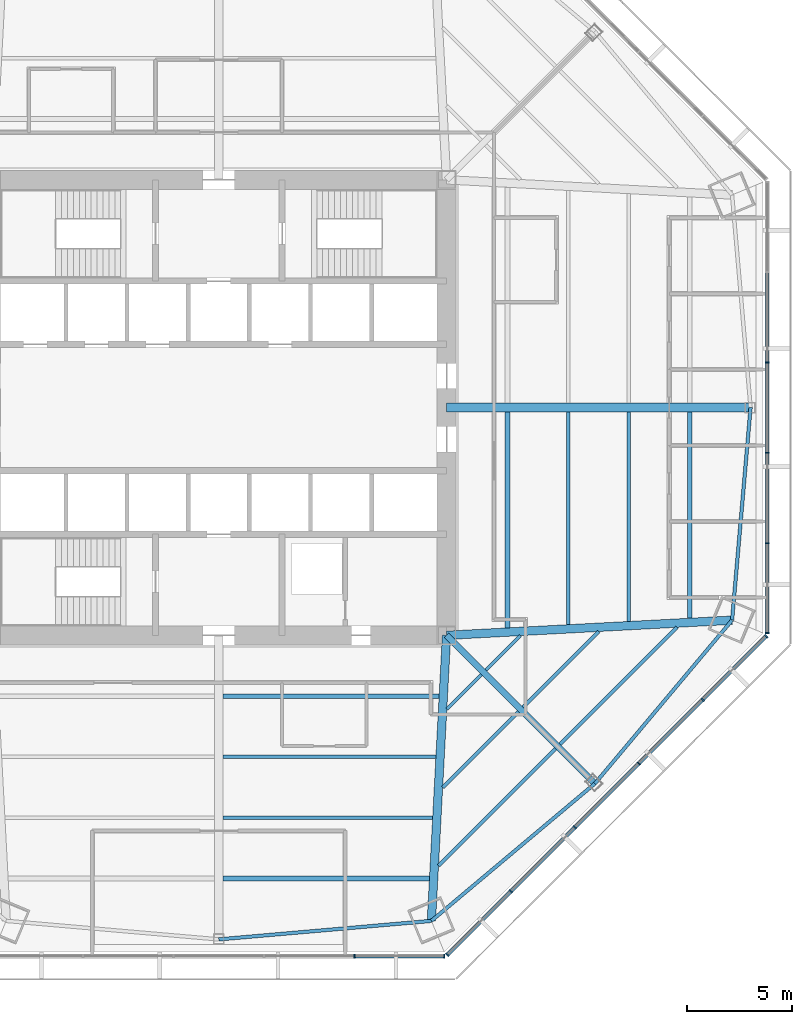
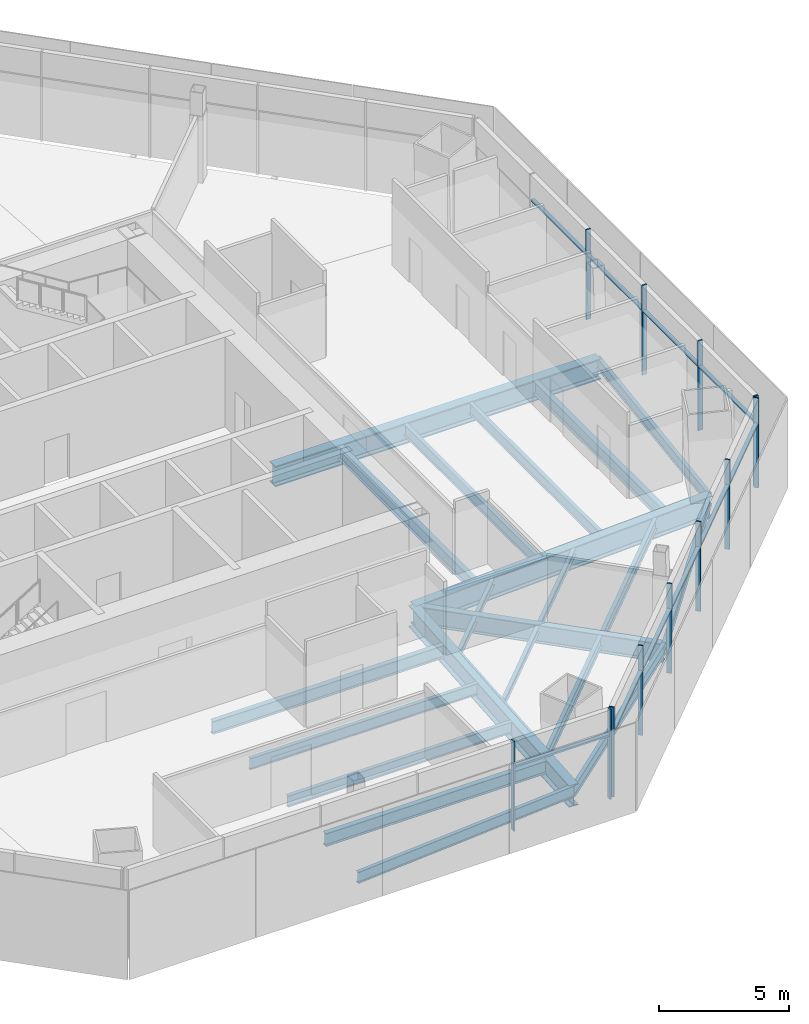
# One storey, part 4 of 15: 22 beams, 22 members, 3 elements without a shape of their own.
"""IFC4 building model written with IfcOpenShell, lengths in metres."""

import ifcopenshell
import ifcopenshell.guid

model = None  # the IFC model being written
_history = None  # IfcOwnerHistory: only IFC2X3 demands one
_inside = {}  # id of a spatial element -> (the spatial element, [elements in it])
_under = {}  # id of a project, library or spatial element -> (it, [spatial elements below it])
_declared = {}  # id of a project -> (the project, [libraries it declares])
_typed = {}  # id of a type object -> (the type object, [elements of that type])
_made_of = {}  # id of a material, layer set ... -> (it, [elements and type objects made of it])


def new_model(schema):
    """Start an empty IFC model of exactly this schema.

    Asked for "IFC4X3", IfcOpenShell would pick the latest addendum, in which some entities
    have other attributes; the version numbers below select the first issue.
    IFC2X3 requires an IfcOwnerHistory on every rooted entity: one is made here for all.
    """
    global model, _history
    if schema == "IFC4X3":
        model = ifcopenshell.file(schema_version=(4, 3, 0, 0))
    else:
        model = ifcopenshell.file(schema=schema)
    _inside.clear()
    _under.clear()
    _declared.clear()
    _typed.clear()
    _made_of.clear()
    _history = None
    if model.schema == "IFC2X3":
        org = make("IfcOrganization", Name="unknown")
        user = make(
            "IfcPersonAndOrganization",
            ThePerson=make("IfcPerson", FamilyName="unknown"),
            TheOrganization=org,
        )
        app = make(
            "IfcApplication",
            ApplicationDeveloper=org,
            Version="unknown",
            ApplicationFullName="unknown",
            ApplicationIdentifier="unknown",
        )
        _history = make(
            "IfcOwnerHistory",
            OwningUser=user,
            OwningApplication=app,
            ChangeAction="ADDED",
            CreationDate=0,
        )
    return model


def make(cls, **values):
    """One entity of the class cls with the attributes given. An attribute that is None is left unset."""
    return model.create_entity(
        cls, **{name: value for name, value in values.items() if value is not None}
    )


def rooted(cls, **values):
    """An entity with a GlobalId (a new one), such as an element, a storey or a relation."""
    return make(cls, GlobalId=ifcopenshell.guid.new(), OwnerHistory=_history, **values)


def si_unit(unit_type, name, prefix=None):
    """IfcSIUnit, for example si_unit("LENGTHUNIT", "METRE", prefix="MILLI")."""
    return make("IfcSIUnit", UnitType=unit_type, Prefix=prefix, Name=name)


def assignment(units):
    """IfcUnitAssignment: the units of a project."""
    return None if units is None else make("IfcUnitAssignment", Units=units)


def point(xyz):
    """IfcCartesianPoint."""
    return None if xyz is None else make("IfcCartesianPoint", Coordinates=xyz)


def direction(xyz):
    """IfcDirection."""
    return None if xyz is None else make("IfcDirection", DirectionRatios=xyz)


def frame(location, z_axis=None, x_axis=None):
    """IfcAxis2Placement3D, a coordinate frame: its origin and axes. An axis left out is left unset."""
    return make(
        "IfcAxis2Placement3D",
        Location=point(location),
        Axis=direction(z_axis),
        RefDirection=direction(x_axis),
    )


def frame_2d(location, x_axis=None):
    """IfcAxis2Placement2D, a coordinate frame in the plane: its origin and x axis."""
    return make(
        "IfcAxis2Placement2D", Location=point(location), RefDirection=direction(x_axis)
    )


def origin():
    """The frame at (0, 0, 0) with its axes left unset."""
    return frame((0.0, 0.0, 0.0))


def origin_2d():
    """The frame at (0, 0) in the plane with its x axis left unset."""
    return frame_2d((0.0, 0.0))


def place(relative_to, where):
    """IfcLocalPlacement: puts the frame where relative to a parent placement (None: the world)."""
    return make(
        "IfcLocalPlacement", PlacementRelTo=relative_to, RelativePlacement=where
    )


def context(
    kind, dimensions, precision=None, world=None, true_north=None, identifier=None
):
    """IfcGeometricRepresentationContext, for example the 3D "Model" context."""
    return make(
        "IfcGeometricRepresentationContext",
        ContextIdentifier=identifier,
        ContextType=kind,
        CoordinateSpaceDimension=dimensions,
        Precision=precision,
        WorldCoordinateSystem=world,
        TrueNorth=true_north,
    )


def subcontext(parent, identifier, kind, view, scale=None):
    """IfcGeometricRepresentationSubContext, for example "Body" below "Model"."""
    return make(
        "IfcGeometricRepresentationSubContext",
        ContextIdentifier=identifier,
        ContextType=kind,
        ParentContext=parent,
        TargetScale=scale,
        TargetView=view,
    )


def project(units=None, contexts=None):
    """IfcProject with its units and contexts."""
    return rooted(
        "IfcProject",
        Name="project",
        RepresentationContexts=contexts,
        UnitsInContext=assignment(units),
    )


def spatial(cls, under=None, at=None, **own):
    """A site, building, storey or space (cls), placed at a placement, below another one or the project."""
    s = rooted(cls, ObjectPlacement=at, **own)
    if under is not None:
        _under.setdefault(under.id(), (under, []))[1].append(s)
    return s


def profile(cls, at=None, kind="AREA", **sizes):
    """A parametric profile (cls). Its sizes go by their IFC names, for example OverallWidth=200.0."""
    return make(cls, ProfileType=kind, Position=at, **sizes)


def rectangle(**sizes):
    """IfcRectangleProfileDef."""
    return profile("IfcRectangleProfileDef", **sizes)


def i_section(**sizes):
    """IfcIShapeProfileDef."""
    return profile("IfcIShapeProfileDef", **sizes)


def extrude(swept, where, along, depth):
    """IfcExtrudedAreaSolid: the profile swept, set in the frame where, extruded along a direction by depth."""
    return make(
        "IfcExtrudedAreaSolid",
        SweptArea=swept,
        Position=where,
        ExtrudedDirection=direction(along),
        Depth=depth,
    )


def shape(context_of_items, identifier, shape_type, items):
    """IfcShapeRepresentation: the items that make up one representation, for example the "Body"."""
    return make(
        "IfcShapeRepresentation",
        ContextOfItems=context_of_items,
        RepresentationIdentifier=identifier,
        RepresentationType=shape_type,
        Items=items,
    )


def source(mapping_origin, context_of_items, identifier, shape_type, items):
    """IfcRepresentationMap: a shape defined once, which mapped items show again and again."""
    return make(
        "IfcRepresentationMap",
        MappingOrigin=mapping_origin,
        MappedRepresentation=shape(context_of_items, identifier, shape_type, items),
    )


def transform(
    local_origin,
    x_axis=None,
    y_axis=None,
    z_axis=None,
    scale=None,
    scale2=None,
    scale3=None,
    uniform=True,
):
    """IfcCartesianTransformationOperator3D, or its non-uniform kind. x_axis, y_axis, z_axis: its Axis1, 2, 3."""
    if uniform:
        return make(
            "IfcCartesianTransformationOperator3D",
            Axis1=direction(x_axis),
            Axis2=direction(y_axis),
            LocalOrigin=point(local_origin),
            Scale=scale,
            Axis3=direction(z_axis),
        )
    return make(
        "IfcCartesianTransformationOperator3DnonUniform",
        Axis1=direction(x_axis),
        Axis2=direction(y_axis),
        LocalOrigin=point(local_origin),
        Scale=scale,
        Axis3=direction(z_axis),
        Scale2=scale2,
        Scale3=scale3,
    )


def mapped(mapping_source, mapping_target):
    """IfcMappedItem: shows the shape of a source again, moved by a transform."""
    return make(
        "IfcMappedItem", MappingSource=mapping_source, MappingTarget=mapping_target
    )


def material(Name=None, Category=None):
    """IfcMaterial."""
    return make("IfcMaterial", Name=Name, Category=Category)


def material_profile(
    of_material, cross_section, Name=None, Category=None, Priority=None
):
    """IfcMaterialProfile: a cross section and its material."""
    return make(
        "IfcMaterialProfile",
        Name=Name,
        Material=of_material,
        Profile=cross_section,
        Priority=Priority,
        Category=Category,
    )


def profile_set(profiles, Name=None, composite=None):
    """IfcMaterialProfileSet."""
    return make(
        "IfcMaterialProfileSet",
        Name=Name,
        MaterialProfiles=profiles,
        CompositeProfile=composite,
    )


def made_of(thing, what):
    """Note that an element or type object is made of a material, layer set ...; save() writes the relation."""
    if what is not None:
        _made_of.setdefault(what.id(), (what, []))[1].append(thing)
    return thing


def type_object(cls, material=None, **own):
    """A type object (cls), such as IfcWallType, which elements share."""
    return made_of(rooted(cls, **own), material)


def type_shapes(of_type, sources):
    """Give a type object the sources (RepresentationMaps) that its elements show as mapped items."""
    of_type.RepresentationMaps = sources


def element(
    cls,
    number,
    at=None,
    inside=None,
    cuts=None,
    type_object=None,
    material=None,
    context=None,
    identifier="Body",
    shape_type=None,
    held_by="IfcProductDefinitionShape",
    body=None,
    shapes=None,
    **own,
):
    """One element of the class cls, such as IfcWall. Its Tag is "e" and its number.

    at: its placement. inside: the storey or other place that contains it. cuts: it is an
    opening in that element (IfcRelVoidsElement). A single representation is given by context,
    identifier, shape_type and body (its items); several are given by shapes. held_by: the class
    of the entity that holds the representations. save() writes the other relations.
    """
    e = rooted(cls, Tag="e%d" % number, ObjectPlacement=at, **own)
    if body is not None:
        shapes = [shape(context, identifier, shape_type, body)]
    if shapes is not None:
        e.Representation = make(held_by, Representations=shapes)
    if inside is not None:
        _inside.setdefault(inside.id(), (inside, []))[1].append(e)
    if cuts is not None:
        rooted(
            "IfcRelVoidsElement", RelatingBuildingElement=cuts, RelatedOpeningElement=e
        )
    if type_object is not None:
        _typed.setdefault(type_object.id(), (type_object, []))[1].append(e)
    return made_of(e, material)


def aggregate(whole, parts):
    """IfcRelAggregates: a whole, such as a stair, and the parts it consists of."""
    return rooted("IfcRelAggregates", RelatingObject=whole, RelatedObjects=parts)


def save(model, path):
    """Write the relations noted so far, then the file.

    IfcRelAggregates (storeys below a building ...), IfcRelContainedInSpatialStructure (elements
    in a storey), IfcRelDefinesByType, IfcRelAssociatesMaterial and IfcRelDeclares: one each for
    every whole, place, type object, material and project.
    """
    for whole, parts in _under.values():
        aggregate(whole, parts)
    for where, things in _inside.values():
        rooted(
            "IfcRelContainedInSpatialStructure",
            RelatedElements=things,
            RelatingStructure=where,
        )
    for kind, things in _typed.values():
        rooted("IfcRelDefinesByType", RelatedObjects=things, RelatingType=kind)
    for what, things in _made_of.values():
        rooted("IfcRelAssociatesMaterial", RelatedObjects=things, RelatingMaterial=what)
    for by, libraries in _declared.values():
        rooted("IfcRelDeclares", RelatingContext=by, RelatedDefinitions=libraries)
    model.write(path)


model = new_model("IFC4")

# Units and contexts
model_context = context("Model", 3, precision=1e-05, world=origin(), true_north=direction((0.0, 1.0)))
body_context = subcontext(model_context, "Body", "Model", "MODEL_VIEW")
ifc_project = project(units=[si_unit("LENGTHUNIT", "METRE"), si_unit("AREAUNIT", "SQUARE_METRE"), si_unit("VOLUMEUNIT", "CUBIC_METRE"), si_unit("PLANEANGLEUNIT", "RADIAN"), si_unit("MASSUNIT", "GRAM", prefix="KILO")], contexts=[model_context])

# Site, building, storey
site_placement = place(None, origin())
site = spatial("IfcSite", under=ifc_project, at=site_placement, CompositionType="ELEMENT")
building_placement = place(site_placement, origin())
building = spatial("IfcBuilding", under=site, at=building_placement, Name="Mashrafa Tower", CompositionType="ELEMENT")
storey_placement = place(building_placement, frame((0.0, 0.0, 70.800048828125)))
storey = spatial("IfcBuildingStorey", under=building, at=storey_placement, Name="L15", CompositionType="ELEMENT", Elevation=70.800048828125)

# Beams
ifc_material_1 = material(Name="Steel ASTM A992", Category="steel")
ifc_material_profile_1 = material_profile(ifc_material_1, i_section(OverallWidth=0.164794921875, OverallDepth=0.309814453125, WebThickness=0.005859375, FlangeThickness=0.009765625, FilletRadius=0.007568359375, at=origin_2d()), Name="W12X26")
ifc_profile_set_1 = profile_set([ifc_material_profile_1], Name="Steel ASTM A992")
beam_type_1 = type_object("IfcBeamType", Name="Beam W12X26", PredefinedType="BEAM", material=ifc_profile_set_1)
beam_1_placement = place(storey_placement, frame((12.454345703125, -12.660888671875, -0.320068359375), z_axis=(-0.707054124019, -0.707159434433, 0.0), x_axis=(0.707159434433, -0.707054124019, 0.0)))
element("IfcBeam", 1, at=beam_1_placement, inside=storey, type_object=beam_type_1, Name="Floor beam L15 040", PredefinedType="BEAM", context=body_context, shape_type="SweptSolid", body=[
    extrude(i_section(OverallWidth=0.164794921875, OverallDepth=0.309814453125, WebThickness=0.005859375, FlangeThickness=0.009765625, FilletRadius=0.007568359375, at=origin_2d()), origin(), (0.0, 0.0, 1.0), 2.318359375),
])
beam_2_placement = place(storey_placement, frame((14.212158203125, -14.418701171875, -0.320068359375), z_axis=(-0.707130796904, -0.707082764653, 0.0), x_axis=(0.707082764653, -0.707130796904, 0.0)))
element("IfcBeam", 2, at=beam_2_placement, inside=storey, type_object=beam_type_1, Name="Floor beam L15 044", PredefinedType="BEAM", context=body_context, shape_type="SweptSolid", body=[
    extrude(i_section(OverallWidth=0.164794921875, OverallDepth=0.309814453125, WebThickness=0.005859375, FlangeThickness=0.009765625, FilletRadius=0.007568359375, at=origin_2d()), origin(), (0.0, 0.0, 1.0), 5.082763671875),
])
beam_3_placement = place(storey_placement, frame((14.30029296875, -10.815185546875, -0.320068359375), z_axis=(-0.707159434433, -0.707054124019, 0.0), x_axis=(0.707054124019, -0.707159434433, 0.0)))
element("IfcBeam", 3, at=beam_3_placement, inside=storey, type_object=beam_type_1, Name="Floor beam L15 046", PredefinedType="BEAM", context=body_context, shape_type="SweptSolid", body=[
    extrude(i_section(OverallWidth=0.164794921875, OverallDepth=0.309814453125, WebThickness=0.005859375, FlangeThickness=0.009765625, FilletRadius=0.007568359375, at=origin_2d()), origin(), (0.0, 0.0, 1.0), 2.318359375),
])
beam_4_placement = place(storey_placement, frame((18.0126953125, -10.617919921875, -0.320068359375), z_axis=(-0.707082764653, -0.707130796904, 0.0), x_axis=(0.707130796904, -0.707082764653, 0.0)))
element("IfcBeam", 4, at=beam_4_placement, inside=storey, type_object=beam_type_1, Name="Floor beam L15 051", PredefinedType="BEAM", context=body_context, shape_type="SweptSolid", body=[
    extrude(i_section(OverallWidth=0.164794921875, OverallDepth=0.309814453125, WebThickness=0.005859375, FlangeThickness=0.009765625, FilletRadius=0.007568359375, at=origin_2d()), origin(), (0.0, 0.0, 1.0), 5.082763671875),
])
ifc_material_2 = material(Name="Steel ASTM A992", Category="steel")
ifc_material_profile_2 = material_profile(ifc_material_2, i_section(OverallWidth=0.165771484375, OverallDepth=0.5283203125, WebThickness=0.009765625, FlangeThickness=0.013671875, FilletRadius=0.012939453125, at=origin_2d()), Name="W21X50")
ifc_profile_set_2 = profile_set([ifc_material_profile_2], Name="Steel ASTM A992")
beam_type_2 = type_object("IfcBeamType", Name="Beam W21X50", PredefinedType="BEAM", material=ifc_profile_set_2)
beam_5_placement = place(storey_placement, frame((10.139892578125, -19.449951171875, -0.42919921875), z_axis=(-1.0, 0.0, 0.0), x_axis=(0.0, -1.0, 0.0)))
element("IfcBeam", 5, at=beam_5_placement, inside=storey, type_object=beam_type_2, Name="Floor beam L15 035", PredefinedType="BEAM", context=body_context, shape_type="SweptSolid", body=[
    extrude(i_section(OverallWidth=0.165771484375, OverallDepth=0.5283203125, WebThickness=0.009765625, FlangeThickness=0.013671875, FilletRadius=0.012939453125, at=origin_2d()), origin(), (0.0, 0.0, 1.0), 9.927734375),
])
beam_6_placement = place(storey_placement, frame((10.29296875, -16.566650390625, -0.42919921875), z_axis=(-1.0, 0.0, 0.0), x_axis=(0.0, -1.0, 0.0)))
element("IfcBeam", 6, at=beam_6_placement, inside=storey, type_object=beam_type_2, Name="Floor beam L15 037", PredefinedType="BEAM", context=body_context, shape_type="SweptSolid", body=[
    extrude(i_section(OverallWidth=0.165771484375, OverallDepth=0.5283203125, WebThickness=0.009765625, FlangeThickness=0.013671875, FilletRadius=0.012939453125, at=origin_2d()), origin(), (0.0, 0.0, 1.0), 10.080810546875),
])
beam_7_placement = place(storey_placement, frame((15.9697265625, -16.176513671875, -0.42919921875), z_axis=(-0.707122337209, -0.707091224822, 0.0), x_axis=(0.707091224822, -0.707122337209, 0.0)))
element("IfcBeam", 7, at=beam_7_placement, inside=storey, type_object=beam_type_2, Name="Floor beam L15 047", PredefinedType="BEAM", context=body_context, shape_type="SweptSolid", body=[
    extrude(i_section(OverallWidth=0.165771484375, OverallDepth=0.5283203125, WebThickness=0.009765625, FlangeThickness=0.013671875, FilletRadius=0.012939453125, at=origin_2d()), origin(), (0.0, 0.0, 1.0), 7.84716796875),
])
beam_8_placement = place(storey_placement, frame((16.566650390625, -0.212158203125, -0.42919921875), z_axis=(0.0, -1.0, 0.0), x_axis=(1.0, 0.0, 0.0)))
element("IfcBeam", 8, at=beam_8_placement, inside=storey, type_object=beam_type_2, Name="Floor beam L15 049", PredefinedType="BEAM", context=body_context, shape_type="SweptSolid", body=[
    extrude(i_section(OverallWidth=0.165771484375, OverallDepth=0.5283203125, WebThickness=0.009765625, FlangeThickness=0.013671875, FilletRadius=0.012939453125, at=origin_2d()), origin(), (0.0, 0.0, 1.0), 10.080810546875),
])
beam_9_placement = place(storey_placement, frame((19.449951171875, -0.212158203125, -0.42919921875), z_axis=(0.0, -1.0, 0.0), x_axis=(1.0, 0.0, 0.0)))
element("IfcBeam", 9, at=beam_9_placement, inside=storey, type_object=beam_type_2, Name="Floor beam L15 052", PredefinedType="BEAM", context=body_context, shape_type="SweptSolid", body=[
    extrude(i_section(OverallWidth=0.165771484375, OverallDepth=0.5283203125, WebThickness=0.009765625, FlangeThickness=0.013671875, FilletRadius=0.012939453125, at=origin_2d()), origin(), (0.0, 0.0, 1.0), 9.927734375),
])
beam_10_placement = place(storey_placement, frame((21.72509765625, -10.4208984375, -0.42919921875), z_axis=(-0.707091224822, -0.707122337209, 0.0), x_axis=(0.707122337209, -0.707091224822, 0.0)))
element("IfcBeam", 10, at=beam_10_placement, inside=storey, type_object=beam_type_2, Name="Floor beam L15 054", PredefinedType="BEAM", context=body_context, shape_type="SweptSolid", body=[
    extrude(i_section(OverallWidth=0.165771484375, OverallDepth=0.5283203125, WebThickness=0.009765625, FlangeThickness=0.013671875, FilletRadius=0.012939453125, at=origin_2d()), origin(), (0.0, 0.0, 1.0), 7.84716796875),
])
for number, where, z_axis, x_axis, name in (
    (11, (0.0, -25.216552734375, -0.42919921875), (0.996227450141, 0.086780571481, 0.0), (-0.086780571481, 0.996227450141, 0.0), "Spandrel beam L15 080"),
    (12, (10.081298828125, -24.33837890625, -0.42919921875), (0.765803237764, 0.643074957552, 0.0), (-0.643074957552, 0.765803237764, 0.0), "Spandrel beam L15 082"),
    (13, (17.830810546875, -17.830810546875, -0.42919921875), (0.643074957552, 0.765803237764, 0.0), (-0.765803237764, 0.643074957552, 0.0), "Spandrel beam L15 084"),
    (14, (24.33837890625, -10.081298828125, -0.42919921875), (0.086780571481, 0.996227450141, 0.0), (-0.996227450141, 0.086780571481, 0.0), "Spandrel beam L15 086"),
):
    element("IfcBeam", number, at=place(storey_placement, frame(where, z_axis=z_axis, x_axis=x_axis)), inside=storey, type_object=beam_type_2, Name=name, PredefinedType="BEAM", context=body_context, shape_type="SweptSolid", body=[
        extrude(i_section(OverallWidth=0.165771484375, OverallDepth=0.5283203125, WebThickness=0.009765625, FlangeThickness=0.013671875, FilletRadius=0.012939453125, at=origin_2d()), origin(), (0.0, 0.0, 1.0), 10.119384765625),
    ])
ifc_material_3 = material(Name="Steel ASTM A992", Category="steel")
ifc_material_profile_3 = material_profile(ifc_material_3, i_section(OverallWidth=0.227783203125, OverallDepth=0.60205078125, WebThickness=0.010498046875, FlangeThickness=0.014892578125, FilletRadius=0.012939453125, at=origin_2d()), Name="W24X68")
ifc_profile_set_3 = profile_set([ifc_material_profile_3], Name="Steel ASTM A992")
beam_type_3 = type_object("IfcBeamType", Name="Beam W24X68", PredefinedType="BEAM", material=ifc_profile_set_3)
beam_11_placement = place(storey_placement, frame((9.98681640625, -22.333251953125, -0.466064453125), z_axis=(-1.0, 0.0, 0.0), x_axis=(0.0, -1.0, 0.0)))
element("IfcBeam", 15, at=beam_11_placement, inside=storey, type_object=beam_type_3, Name="Floor beam L15 033", PredefinedType="BEAM", context=body_context, shape_type="SweptSolid", body=[
    extrude(i_section(OverallWidth=0.227783203125, OverallDepth=0.60205078125, WebThickness=0.010498046875, FlangeThickness=0.014892578125, FilletRadius=0.012939453125, at=origin_2d()), origin(), (0.0, 0.0, 1.0), 9.774658203125),
])
for number, where, z_axis, x_axis, name in (
    (16, (10.446044921875, -13.683349609375, -0.466064453125), (-1.0, 0.0, 0.0), (0.0, -1.0, 0.0), "Floor beam L15 039"),
    (17, (13.683349609375, -0.212158203125, -0.466064453125), (0.0, -1.0, 0.0), (1.0, 0.0, 0.0), "Floor beam L15 042"),
):
    element("IfcBeam", number, at=place(storey_placement, frame(where, z_axis=z_axis, x_axis=x_axis)), inside=storey, type_object=beam_type_3, Name=name, PredefinedType="BEAM", context=body_context, shape_type="SweptSolid", body=[
        extrude(i_section(OverallWidth=0.227783203125, OverallDepth=0.60205078125, WebThickness=0.010498046875, FlangeThickness=0.014892578125, FilletRadius=0.012939453125, at=origin_2d()), origin(), (0.0, 0.0, 1.0), 10.23388671875),
    ])
beam_12_placement = place(storey_placement, frame((22.333251953125, -0.212158203125, -0.466064453125), z_axis=(0.0, -1.0, 0.0), x_axis=(1.0, 0.0, 0.0)))
element("IfcBeam", 18, at=beam_12_placement, inside=storey, type_object=beam_type_3, Name="Floor beam L15 055", PredefinedType="BEAM", context=body_context, shape_type="SweptSolid", body=[
    extrude(i_section(OverallWidth=0.227783203125, OverallDepth=0.60205078125, WebThickness=0.010498046875, FlangeThickness=0.014892578125, FilletRadius=0.012939453125, at=origin_2d()), origin(), (0.0, 0.0, 1.0), 9.774658203125),
])
ifc_material_4 = material(Name="Steel ASTM A992", Category="steel")
ifc_material_profile_4 = material_profile(ifc_material_4, i_section(OverallWidth=0.2919921875, OverallDepth=0.8583984375, WebThickness=0.01708984375, FlangeThickness=0.031005859375, FilletRadius=0.017822265625, at=origin_2d()), Name="W33X169")
ifc_profile_set_4 = profile_set([ifc_material_profile_4], Name="Steel ASTM A992")
beam_type_4 = type_object("IfcBeamType", Name="Beam W33X169", PredefinedType="BEAM", material=ifc_profile_set_4)
beam_13_placement = place(storey_placement, frame((10.800048828125, -10.800048828125, -0.59423828125), z_axis=(0.707106781187, -0.707106781187, 0.0), x_axis=(0.707106781187, 0.707106781187, 0.0)))
element("IfcBeam", 19, at=beam_13_placement, inside=storey, type_object=beam_type_4, Name="Radial girder L15 067", PredefinedType="BEAM", context=body_context, shape_type="SweptSolid", body=[
    extrude(i_section(OverallWidth=0.2919921875, OverallDepth=0.8583984375, WebThickness=0.01708984375, FlangeThickness=0.031005859375, FilletRadius=0.017822265625, at=origin_2d()), origin(), (0.0, 0.0, 1.0), 9.943115234375),
])
ifc_material_5 = material(Name="Steel ASTM A992", Category="steel")
ifc_material_profile_5 = material_profile(ifc_material_5, i_section(OverallWidth=0.424072265625, OverallDepth=0.960205078125, WebThickness=0.028564453125, FlangeThickness=0.051025390625, FilletRadius=0.02001953125, at=origin_2d()), Name="W36X361")
ifc_profile_set_5 = profile_set([ifc_material_profile_5], Name="Steel ASTM A992")
beam_type_5 = type_object("IfcBeamType", Name="Beam W36X361", PredefinedType="BEAM", material=ifc_profile_set_5)
beam_14_placement = place(storey_placement, frame((10.800048828125, 0.0, -0.64501953125), z_axis=(1.0, 0.0, 0.0), x_axis=(0.0, 1.0, 0.0)))
element("IfcBeam", 20, at=beam_14_placement, inside=storey, type_object=beam_type_5, Name="Radial girder L15 069", PredefinedType="BEAM", context=body_context, shape_type="SweptSolid", body=[
    extrude(i_section(OverallWidth=0.424072265625, OverallDepth=0.960205078125, WebThickness=0.028564453125, FlangeThickness=0.051025390625, FilletRadius=0.02001953125, at=origin_2d()), origin(), (0.0, 0.0, 1.0), 14.41650390625),
])
ifc_material_6 = material(Name="Steel ASTM A992", Category="steel")
ifc_material_profile_6 = material_profile(ifc_material_6, i_section(OverallWidth=0.4013671875, OverallDepth=1.010986328125, WebThickness=0.023681640625, FlangeThickness=0.0419921875, FilletRadius=0.02001953125, at=origin_2d()), Name="W40X297")
ifc_profile_set_6 = profile_set([ifc_material_profile_6], Name="Steel ASTM A992")
beam_type_6 = type_object("IfcBeamType", Name="Beam W40X297", PredefinedType="BEAM", material=ifc_profile_set_6)
for number, where, z_axis, x_axis, name in (
    (21, (10.800048828125, -10.800048828125, -0.67041015625), (-0.05301534356, -0.998593697831, 0.0), (0.998593697831, -0.05301534356, 0.0), "Radial girder L15 066"),
    (22, (10.800048828125, -10.800048828125, -0.67041015625), (0.998593697831, 0.05301534356, 0.0), (-0.05301534356, 0.998593697831, 0.0), "Radial girder L15 068"),
):
    element("IfcBeam", number, at=place(storey_placement, frame(where, z_axis=z_axis, x_axis=x_axis)), inside=storey, type_object=beam_type_6, Name=name, PredefinedType="BEAM", context=body_context, shape_type="SweptSolid", body=[
        extrude(i_section(OverallWidth=0.4013671875, OverallDepth=1.010986328125, WebThickness=0.023681640625, FlangeThickness=0.0419921875, FilletRadius=0.02001953125, at=origin_2d()), origin(), (0.0, 0.0, 1.0), 13.557373046875),
    ])

# Curtain wall, members
ifc_material_7 = material(Name="Unitised aluminium curtain wall", Category="aluminium")
curtain_wall_type = type_object("IfcCurtainWallType", Name="Office curtain wall, zone 1 CW-A 200 deep", PredefinedType="NOTDEFINED", material=ifc_material_7)
curtain_wall_1_placement = place(storey_placement, origin())
curtain_wall_1 = element("IfcCurtainWall", 23, at=curtain_wall_1_placement, inside=storey, type_object=curtain_wall_type, Name="Office curtain wall, zone 1 L15 east", PredefinedType="NOTDEFINED")
ifc_material_8 = material(Name="Extruded aluminium mullion", Category="aluminium")
ifc_material_profile_7 = material_profile(ifc_material_8, rectangle(XDim=0.199951171875, YDim=0.06494140625, at=origin_2d()), Name="Mullion 65x200")
ifc_profile_set_7 = profile_set([ifc_material_profile_7], Name="Extruded aluminium mullion")
member_type_1 = type_object("IfcMemberType", Name="Mullion CW-A 65 x 200", PredefinedType="MULLION", material=ifc_profile_set_7)
shared_shape_1 = source(origin(), body_context, "Body", "SweptSolid", [
    extrude(rectangle(XDim=0.199951171875, YDim=0.06494140625, at=origin_2d()), origin(), (0.0, 0.0, 1.0), 4.199951171875),
])
type_shapes(member_type_1, [shared_shape_1])
member_1_placement = place(storey_placement, frame((26.011962890625, -10.690673828125, 0.0), z_axis=(0.0, 0.0, 1.0), x_axis=(-1.0, 0.0, 0.0)))
member_1 = element("IfcMember", 24, at=member_1_placement, type_object=member_type_1, Name="CW-A mullion 1", PredefinedType="MULLION", context=body_context, shape_type="MappedRepresentation", body=[
    mapped(shared_shape_1, transform((0.0, 0.0, 0.0))),
])
member_2_placement = place(storey_placement, frame((26.011962890625, -6.433837890625, 0.0), z_axis=(0.0, 0.0, 1.0), x_axis=(-1.0, 0.0, 0.0)))
member_2 = element("IfcMember", 25, at=member_2_placement, type_object=member_type_1, Name="CW-A mullion 2", PredefinedType="MULLION", context=body_context, shape_type="MappedRepresentation", body=[
    mapped(shared_shape_1, transform((0.0, 0.0, 0.0))),
])
member_3_placement = place(storey_placement, frame((26.011962890625, -2.14453125, 0.0), z_axis=(0.0, 0.0, 1.0), x_axis=(-1.0, 0.0, 0.0)))
member_3 = element("IfcMember", 26, at=member_3_placement, type_object=member_type_1, Name="CW-A mullion 3", PredefinedType="MULLION", context=body_context, shape_type="MappedRepresentation", body=[
    mapped(shared_shape_1, transform((0.0, 0.0, 0.0))),
])
member_4_placement = place(storey_placement, frame((26.011962890625, 2.14453125, 0.0), z_axis=(0.0, 0.0, 1.0), x_axis=(-1.0, 0.0, 0.0)))
member_4 = element("IfcMember", 27, at=member_4_placement, type_object=member_type_1, Name="CW-A mullion 4", PredefinedType="MULLION", context=body_context, shape_type="MappedRepresentation", body=[
    mapped(shared_shape_1, transform((0.0, 0.0, 0.0))),
])

curtain_wall_2_placement = place(storey_placement, origin())
curtain_wall_2 = element("IfcCurtainWall", 28, at=curtain_wall_2_placement, inside=storey, type_object=curtain_wall_type, Name="Office curtain wall, zone 1 L15 south", PredefinedType="NOTDEFINED")
member_5_placement = place(storey_placement, frame((6.433837890625, -26.011962890625, 0.0), z_axis=(0.0, 0.0, 1.0), x_axis=(0.0, 1.0, 0.0)))
member_5 = element("IfcMember", 29, at=member_5_placement, type_object=member_type_1, Name="CW-A mullion 5", PredefinedType="MULLION", context=body_context, shape_type="MappedRepresentation", body=[
    mapped(shared_shape_1, transform((0.0, 0.0, 0.0))),
])
member_6_placement = place(storey_placement, frame((10.690673828125, -26.011962890625, 0.0), z_axis=(0.0, 0.0, 1.0), x_axis=(0.0, 1.0, 0.0)))
member_6 = element("IfcMember", 30, at=member_6_placement, type_object=member_type_1, Name="CW-A mullion 6", PredefinedType="MULLION", context=body_context, shape_type="MappedRepresentation", body=[
    mapped(shared_shape_1, transform((0.0, 0.0, 0.0))),
])

curtain_wall_3_placement = place(storey_placement, origin())
curtain_wall_3 = element("IfcCurtainWall", 31, at=curtain_wall_3_placement, inside=storey, type_object=curtain_wall_type, Name="Office curtain wall, zone 1 L15 south-east", PredefinedType="NOTDEFINED")
member_7_placement = place(storey_placement, frame((10.833740234375, -25.95263671875, 0.0), z_axis=(0.0, 0.0, 1.0), x_axis=(-0.707106781187, 0.707106781187, 0.0)))
member_7 = element("IfcMember", 32, at=member_7_placement, type_object=member_type_1, Name="CW-A mullion 1", PredefinedType="MULLION", context=body_context, shape_type="MappedRepresentation", body=[
    mapped(shared_shape_1, transform((0.0, 0.0, 0.0))),
])
member_8_placement = place(storey_placement, frame((13.84375, -22.942626953125, 0.0), z_axis=(0.0, 0.0, 1.0), x_axis=(-0.707106781187, 0.707106781187, 0.0)))
member_8 = element("IfcMember", 33, at=member_8_placement, type_object=member_type_1, Name="CW-A mullion 2", PredefinedType="MULLION", context=body_context, shape_type="MappedRepresentation", body=[
    mapped(shared_shape_1, transform((0.0, 0.0, 0.0))),
])
member_9_placement = place(storey_placement, frame((16.876708984375, -19.90966796875, 0.0), z_axis=(0.0, 0.0, 1.0), x_axis=(-0.707106781187, 0.707106781187, 0.0)))
member_9 = element("IfcMember", 34, at=member_9_placement, type_object=member_type_1, Name="CW-A mullion 3", PredefinedType="MULLION", context=body_context, shape_type="MappedRepresentation", body=[
    mapped(shared_shape_1, transform((0.0, 0.0, 0.0))),
])
member_10_placement = place(storey_placement, frame((19.90966796875, -16.876708984375, 0.0), z_axis=(0.0, 0.0, 1.0), x_axis=(-0.707106781187, 0.707106781187, 0.0)))
member_10 = element("IfcMember", 35, at=member_10_placement, type_object=member_type_1, Name="CW-A mullion 4", PredefinedType="MULLION", context=body_context, shape_type="MappedRepresentation", body=[
    mapped(shared_shape_1, transform((0.0, 0.0, 0.0))),
])
member_11_placement = place(storey_placement, frame((22.942626953125, -13.84375, 0.0), z_axis=(0.0, 0.0, 1.0), x_axis=(-0.707106781187, 0.707106781187, 0.0)))
member_11 = element("IfcMember", 36, at=member_11_placement, type_object=member_type_1, Name="CW-A mullion 5", PredefinedType="MULLION", context=body_context, shape_type="MappedRepresentation", body=[
    mapped(shared_shape_1, transform((0.0, 0.0, 0.0))),
])
member_12_placement = place(storey_placement, frame((25.95263671875, -10.833740234375, 0.0), z_axis=(0.0, 0.0, 1.0), x_axis=(-0.707106781187, 0.707106781187, 0.0)))
member_12 = element("IfcMember", 37, at=member_12_placement, type_object=member_type_1, Name="CW-A mullion 6", PredefinedType="MULLION", context=body_context, shape_type="MappedRepresentation", body=[
    mapped(shared_shape_1, transform((0.0, 0.0, 0.0))),
])

# Member
ifc_material_9 = material(Name="Extruded aluminium transom", Category="aluminium")
ifc_material_profile_8 = material_profile(ifc_material_9, rectangle(XDim=0.159912109375, YDim=0.080078125, at=origin_2d()), Name="Transom 80x160")
ifc_profile_set_8 = profile_set([ifc_material_profile_8], Name="Extruded aluminium transom")
member_type_2 = type_object("IfcMemberType", Name="Transom CW-A 80 x 160", PredefinedType="MULLION", material=ifc_profile_set_8)
shared_shape_2 = source(origin(), body_context, "Body", "SweptSolid", [
    extrude(rectangle(XDim=0.159912109375, YDim=0.080078125, at=origin_2d()), origin(), (0.0, 0.0, 1.0), 4.191650390625),
])
member_13_placement = place(storey_placement, frame((26.011962890625, -10.657958984375, 3.0), z_axis=(0.0, 1.0, 0.0), x_axis=(-1.0, 0.0, 0.0)))
member_13 = element("IfcMember", 38, at=member_13_placement, type_object=member_type_2, Name="CW-A transom 1", PredefinedType="MULLION", context=body_context, shape_type="MappedRepresentation", body=[
    mapped(shared_shape_2, transform((0.0, 0.0, 0.0))),
])

member_14_placement = place(storey_placement, frame((6.46630859375, -26.011962890625, 3.0), z_axis=(1.0, 0.0, 0.0), x_axis=(0.0, 1.0, 0.0)))
member_14 = element("IfcMember", 39, at=member_14_placement, type_object=member_type_2, Name="CW-A transom 5", PredefinedType="MULLION", context=body_context, shape_type="MappedRepresentation", body=[
    mapped(shared_shape_2, transform((0.0, 0.0, 0.0))),
])

aggregate(curtain_wall_2, [member_5, member_6, member_14])

member_15_placement = place(storey_placement, frame((10.856689453125, -25.929443359375, 3.0), z_axis=(0.707135902401, 0.707077658772, 0.0), x_axis=(-0.707077658772, 0.707135902401, 0.0)))
member_15 = element("IfcMember", 40, at=member_15_placement, type_object=member_type_2, Name="CW-A transom 1", PredefinedType="MULLION", context=body_context, shape_type="MappedRepresentation", body=[
    mapped(shared_shape_2, transform((0.0, 0.0, 0.0))),
])

member_16_placement = place(storey_placement, frame((22.965576171875, -13.82080078125, 3.0), z_axis=(0.707077658772, 0.707135902401, 0.0), x_axis=(-0.707135902401, 0.707077658772, 0.0)))
member_16 = element("IfcMember", 41, at=member_16_placement, type_object=member_type_2, Name="CW-A transom 5", PredefinedType="MULLION", context=body_context, shape_type="MappedRepresentation", body=[
    mapped(shared_shape_2, transform((0.0, 0.0, 0.0))),
])

shared_shape_3 = source(origin(), body_context, "Body", "SweptSolid", [
    extrude(rectangle(XDim=0.159912109375, YDim=0.080078125, at=origin_2d()), origin(), (0.0, 0.0, 1.0), 4.224365234375),
])
member_17_placement = place(storey_placement, frame((26.011962890625, -6.4013671875, 3.0), z_axis=(0.0, 1.0, 0.0), x_axis=(-1.0, 0.0, 0.0)))
member_17 = element("IfcMember", 42, at=member_17_placement, type_object=member_type_2, Name="CW-A transom 2", PredefinedType="MULLION", context=body_context, shape_type="MappedRepresentation", body=[
    mapped(shared_shape_3, transform((0.0, 0.0, 0.0))),
])

member_18_placement = place(storey_placement, frame((26.011962890625, 2.177001953125, 3.0), z_axis=(0.0, 1.0, 0.0), x_axis=(-1.0, 0.0, 0.0)))
member_18 = element("IfcMember", 43, at=member_18_placement, type_object=member_type_2, Name="CW-A transom 4", PredefinedType="MULLION", context=body_context, shape_type="MappedRepresentation", body=[
    mapped(shared_shape_3, transform((0.0, 0.0, 0.0))),
])

member_19_placement = place(storey_placement, frame((13.86669921875, -22.919677734375, 3.0), z_axis=(0.707106781187, 0.707106781187, 0.0), x_axis=(-0.707106781187, 0.707106781187, 0.0)))
member_19 = element("IfcMember", 44, at=member_19_placement, type_object=member_type_2, Name="CW-A transom 2", PredefinedType="MULLION", context=body_context, shape_type="MappedRepresentation", body=[
    mapped(shared_shape_3, transform((0.0, 0.0, 0.0))),
])

member_20_placement = place(storey_placement, frame((16.899658203125, -19.88671875, 3.0), z_axis=(0.707106781187, 0.707106781187, 0.0), x_axis=(-0.707106781187, 0.707106781187, 0.0)))
member_20 = element("IfcMember", 45, at=member_20_placement, type_object=member_type_2, Name="CW-A transom 3", PredefinedType="MULLION", context=body_context, shape_type="MappedRepresentation", body=[
    mapped(shared_shape_3, transform((0.0, 0.0, 0.0))),
])

member_21_placement = place(storey_placement, frame((19.9326171875, -16.853759765625, 3.0), z_axis=(0.707106781187, 0.707106781187, 0.0), x_axis=(-0.707106781187, 0.707106781187, 0.0)))
member_21 = element("IfcMember", 46, at=member_21_placement, type_object=member_type_2, Name="CW-A transom 4", PredefinedType="MULLION", context=body_context, shape_type="MappedRepresentation", body=[
    mapped(shared_shape_3, transform((0.0, 0.0, 0.0))),
])

aggregate(curtain_wall_3, [member_7, member_8, member_9, member_10, member_11, member_12, member_15, member_19, member_20, member_21, member_16])

shared_shape_4 = source(origin(), body_context, "Body", "SweptSolid", [
    extrude(rectangle(XDim=0.159912109375, YDim=0.080078125, at=origin_2d()), origin(), (0.0, 0.0, 1.0), 4.22412109375),
])
type_shapes(member_type_2, [shared_shape_2, shared_shape_3, shared_shape_4])
member_22_placement = place(storey_placement, frame((26.011962890625, -2.112060546875, 3.0), z_axis=(0.0, 1.0, 0.0), x_axis=(-1.0, 0.0, 0.0)))
member_22 = element("IfcMember", 47, at=member_22_placement, type_object=member_type_2, Name="CW-A transom 3", PredefinedType="MULLION", context=body_context, shape_type="MappedRepresentation", body=[
    mapped(shared_shape_4, transform((0.0, 0.0, 0.0))),
])

aggregate(curtain_wall_1, [member_1, member_2, member_3, member_4, member_13, member_17, member_22, member_18])

save(model, "model.ifc")
